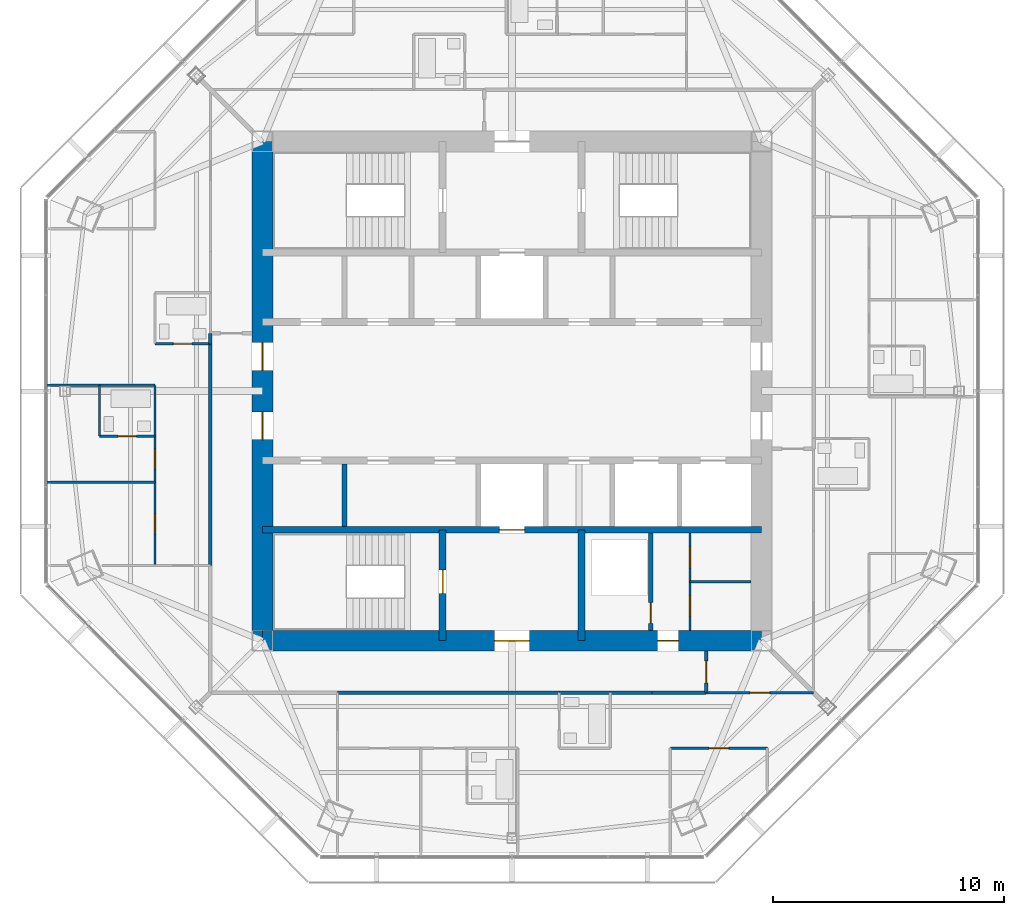
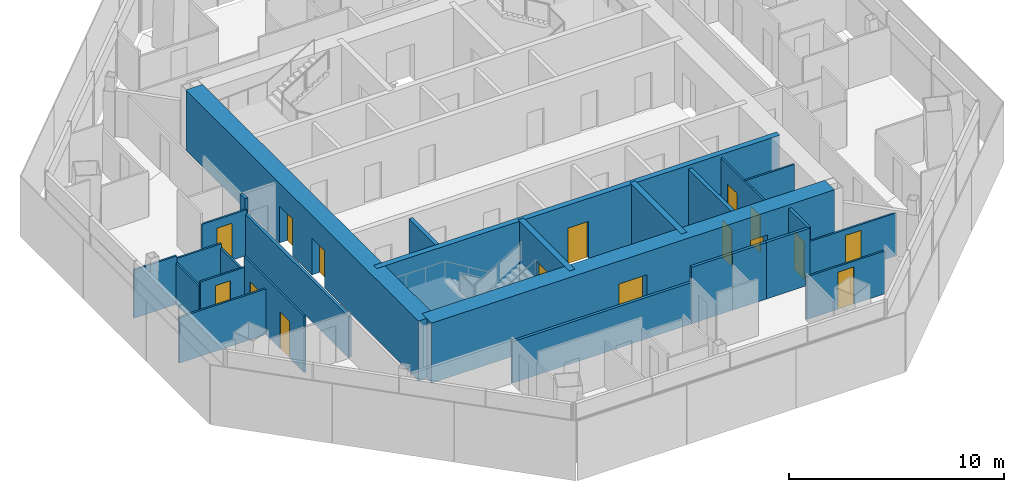
# One storey, part 10 of 15: 26 walls, 16 doors, 16 openings.
"""IFC4 building model written with IfcOpenShell, lengths in metres."""

from ifc_helpers import new_model, si_unit, direction, frame, frame_2d, origin, place, context, subcontext, project, spatial, rectangle, extrude, material, layer, layer_set, type_object, element, fill, save


model = new_model("IFC4")

# Units and contexts
model_context = context("Model", 3, precision=1e-05, world=origin(), true_north=direction((0.0, 1.0)))
body_context = subcontext(model_context, "Body", "Model", "MODEL_VIEW")
ifc_project = project(units=[si_unit("LENGTHUNIT", "METRE"), si_unit("AREAUNIT", "SQUARE_METRE"), si_unit("VOLUMEUNIT", "CUBIC_METRE"), si_unit("PLANEANGLEUNIT", "RADIAN"), si_unit("MASSUNIT", "GRAM", prefix="KILO")], contexts=[model_context])

# Site, building, storey
site_placement = place(None, origin())
site = spatial("IfcSite", under=ifc_project, at=site_placement, CompositionType="ELEMENT")
building_placement = place(site_placement, origin())
building = spatial("IfcBuilding", under=site, at=building_placement, Name="Mashrafa Tower", CompositionType="ELEMENT")
storey_placement = place(building_placement, frame((0.0, 0.0, 277.60009765625)))
storey = spatial("IfcBuildingStorey", under=building, at=storey_placement, Name="L67", CompositionType="ELEMENT", Elevation=277.60009765625)

# Wall, opening, door
ifc_material_1 = material(Name="Concrete masonry unit", Category="masonry")
ifc_layer_1 = layer(ifc_material_1, 0.199951171875)
ifc_layer_set_1 = layer_set([ifc_layer_1], Name="Blockwork wall 200 2 hr")
wall_type_1 = type_object("IfcWallType", Name="Blockwork wall 200 2 hr", PredefinedType="PARTITIONING", material=ifc_layer_set_1)
wall_1_placement = place(storey_placement, frame((6.0, -10.35009765625, 0.0), z_axis=(0.0, 0.0, 1.0), x_axis=(0.0, 1.0, 0.0)))
wall_1 = element("IfcWall", 1, at=wall_1_placement, inside=storey, type_object=wall_type_1, Name="Riser enclosure wall L67", PredefinedType="PARTITIONING", context=body_context, shape_type="SweptSolid", body=[
    extrude(rectangle(XDim=4.2001953125, YDim=0.199951171875, at=frame_2d((2.10009765625, 0.0))), origin(), (0.0, 0.0, 1.0), 3.199951171875),
])
opening_1_placement = place(wall_1_placement, frame((0.300048828125, 0.0, 0.0)))
opening_1 = element("IfcOpeningElement", 2, at=opening_1_placement, cuts=wall_1, Name="Opening 67.043", PredefinedType="OPENING", context=body_context, shape_type="SweptSolid", body=[
    extrude(rectangle(XDim=0.89990234375, YDim=2.10009765625, at=frame_2d((0.449951171875, 1.050048828125))), frame((0.0, 0.10986328125, 0.0), z_axis=(0.0, -1.0, 0.0), x_axis=(1.0, 0.0, 0.0)), (0.0, 0.0, 1.0), 0.219970703125),
])
ifc_material_2 = material(Name="Steel door", Category="steel")
door_type_1 = type_object("IfcDoorType", Name="Service door 900 x 2100 90 min", OperationType="USERDEFINED", PredefinedType="DOOR", material=ifc_material_2)
door_1_placement = place(opening_1_placement, origin())
door_1 = element("IfcDoor", 3, at=door_1_placement, inside=storey, type_object=door_type_1, Name="Riser door L67", OperationType="SINGLE_SWING_LEFT", OverallHeight=2.10009765625, OverallWidth=0.89990234375, PredefinedType="DOOR", context=body_context, shape_type="SweptSolid", body=[
    extrude(rectangle(XDim=0.89990234375, YDim=2.10009765625, at=frame_2d((0.449951171875, 1.050048828125))), frame((0.0, 0.02490234375, 0.0), z_axis=(0.0, -1.0, 0.0), x_axis=(1.0, 0.0, 0.0)), (0.0, 0.0, 1.0), 0.050048828125),
])
fill(opening_1, door_1)

ifc_material_3 = material(Name="Concrete C50/60", Category="concrete")
ifc_layer_2 = layer(ifc_material_3, 0.300048828125)
ifc_layer_set_2 = layer_set([ifc_layer_2], Name="Core wall 300 C50/60")
wall_type_2 = type_object("IfcWallType", Name="Core wall 300 C50/60", PredefinedType="SOLIDWALL", material=ifc_layer_set_2)
wall_2_placement = place(storey_placement, frame((-10.800048828125, -6.0, 0.0), z_axis=(0.0, 0.0, 1.0), x_axis=(1.0, 0.0, 0.0)))
wall_2 = element("IfcWall", 4, at=wall_2_placement, inside=storey, type_object=wall_type_2, Name="Core wall CB-S L67", PredefinedType="SOLIDWALL", context=body_context, shape_type="SweptSolid", body=[
    extrude(rectangle(XDim=21.60009765625, YDim=0.300048828125, at=frame_2d((10.800048828125, 0.0))), origin(), (0.0, 0.0, 1.0), 3.39990234375),
])
opening_2_placement = place(wall_2_placement, frame((10.25, 0.0, 0.0)))
opening_2 = element("IfcOpeningElement", 5, at=opening_2_placement, cuts=wall_2, Name="Opening 67.F2", PredefinedType="OPENING", context=body_context, shape_type="SweptSolid", body=[
    extrude(rectangle(XDim=1.10009765625, YDim=2.10009765625, at=frame_2d((0.550048828125, 1.050048828125))), frame((0.0, 0.159912109375, 0.0), z_axis=(0.0, -1.0, 0.0), x_axis=(1.0, 0.0, 0.0)), (0.0, 0.0, 1.0), 0.320068359375),
])
ifc_material_4 = material(Name="Steel door", Category="steel")
door_type_2 = type_object("IfcDoorType", Name="Lift landing door 1100 x 2100 90 min", OperationType="DOUBLE_DOOR_SLIDING", PredefinedType="DOOR", material=ifc_material_4)
door_2_placement = place(opening_2_placement, origin())
door_2 = element("IfcDoor", 6, at=door_2_placement, inside=storey, type_object=door_type_2, Name="Lift landing door F2 L67", OperationType="DOUBLE_DOOR_SLIDING", OverallHeight=2.10009765625, OverallWidth=1.10009765625, PredefinedType="DOOR", context=body_context, shape_type="SweptSolid", body=[
    extrude(rectangle(XDim=1.10009765625, YDim=2.10009765625, at=frame_2d((0.550048828125, 1.050048828125))), frame((0.0, 0.02490234375, 0.0), z_axis=(0.0, -1.0, 0.0), x_axis=(1.0, 0.0, 0.0)), (0.0, 0.0, 1.0), 0.050048828125),
])
fill(opening_2, door_2)

wall_3_placement = place(storey_placement, frame((-3.0, -6.0, 0.0), z_axis=(0.0, 0.0, 1.0), x_axis=(0.0, -1.0, 0.0)))
wall_3 = element("IfcWall", 7, at=wall_3_placement, inside=storey, type_object=wall_type_2, Name="Core wall CX-SW L67", PredefinedType="SOLIDWALL", context=body_context, shape_type="SweptSolid", body=[
    extrude(rectangle(XDim=4.800048828125, YDim=0.300048828125, at=frame_2d((2.39990234375, 0.0))), origin(), (0.0, 0.0, 1.0), 3.39990234375),
])
opening_3_placement = place(wall_3_placement, frame((1.75, 0.0, 0.0)))
opening_3 = element("IfcOpeningElement", 8, at=opening_3_placement, cuts=wall_3, Name="Opening 67.041", PredefinedType="OPENING", context=body_context, shape_type="SweptSolid", body=[
    extrude(rectangle(XDim=1.0, YDim=2.10009765625, at=frame_2d((0.5, 1.050048828125))), frame((0.0, 0.159912109375, 0.0), z_axis=(0.0, -1.0, 0.0), x_axis=(1.0, 0.0, 0.0)), (0.0, 0.0, 1.0), 0.320068359375),
])
ifc_material_5 = material(Name="Steel door", Category="steel")
door_type_3 = type_object("IfcDoorType", Name="Stair door 1000 x 2100 90 min", OperationType="USERDEFINED", PredefinedType="DOOR", material=ifc_material_5)
door_3_placement = place(opening_3_placement, frame((1.0, 0.0, 0.0), z_axis=(0.0, 0.0, 1.0), x_axis=(-1.0, 0.0, 0.0)))
door_3 = element("IfcDoor", 9, at=door_3_placement, inside=storey, type_object=door_type_3, Name="Stair S3 door L67", OperationType="SINGLE_SWING_RIGHT", OverallHeight=2.10009765625, OverallWidth=1.0, PredefinedType="DOOR", context=body_context, shape_type="SweptSolid", body=[
    extrude(rectangle(XDim=1.0, YDim=2.10009765625, at=frame_2d((0.5, 1.050048828125))), frame((0.0, 0.02490234375, 0.0), z_axis=(0.0, -1.0, 0.0), x_axis=(1.0, 0.0, 0.0)), (0.0, 0.0, 1.0), 0.050048828125),
])
fill(opening_3, door_3)

# Wall
wall_4_placement = place(storey_placement, frame((3.0, -6.0, 0.0), z_axis=(0.0, 0.0, 1.0), x_axis=(0.0, -1.0, 0.0)))
element("IfcWall", 10, at=wall_4_placement, inside=storey, type_object=wall_type_2, Name="Core wall CX-SE L67", PredefinedType="SOLIDWALL", context=body_context, shape_type="SweptSolid", body=[
    extrude(rectangle(XDim=4.800048828125, YDim=0.300048828125, at=frame_2d((2.39990234375, 0.0))), origin(), (0.0, 0.0, 1.0), 3.39990234375),
])

# Wall, openings, doors
ifc_material_6 = material(Name="Concrete C50/60", Category="concrete")
ifc_layer_3 = layer(ifc_material_6, 0.89990234375)
ifc_layer_set_3 = layer_set([ifc_layer_3], Name="Core wall 900 C50/60")
wall_type_3 = type_object("IfcWallType", Name="Core wall 900 C50/60", PredefinedType="SOLIDWALL", material=ifc_layer_set_3)
wall_5_placement = place(storey_placement, frame((-10.800048828125, -10.800048828125, 0.0), z_axis=(0.0, 0.0, 1.0), x_axis=(1.0, 0.0, 0.0)))
wall_5 = element("IfcWall", 11, at=wall_5_placement, inside=storey, type_object=wall_type_3, Name="Core wall CW-S L67", PredefinedType="SOLIDWALL", context=body_context, shape_type="SweptSolid", body=[
    extrude(rectangle(XDim=21.60009765625, YDim=0.89990234375, at=frame_2d((10.800048828125, 0.0))), origin(), (0.0, 0.0, 1.0), 3.39990234375),
])
opening_4_placement = place(wall_5_placement, frame((10.050048828125, 0.0, 0.0)))
opening_4 = element("IfcOpeningElement", 12, at=opening_4_placement, cuts=wall_5, Name="Opening 67.038", PredefinedType="OPENING", context=body_context, shape_type="SweptSolid", body=[
    extrude(rectangle(XDim=1.5, YDim=2.10009765625, at=frame_2d((0.75, 1.050048828125))), frame((0.0, 0.4599609375, 0.0), z_axis=(0.0, -1.0, 0.0), x_axis=(1.0, 0.0, 0.0)), (0.0, 0.0, 1.0), 0.919921875),
])
opening_5_placement = place(wall_5_placement, frame((17.10009765625, 0.0, 0.0)))
opening_5 = element("IfcOpeningElement", 13, at=opening_5_placement, cuts=wall_5, Name="Opening 67.042", PredefinedType="OPENING", context=body_context, shape_type="SweptSolid", body=[
    extrude(rectangle(XDim=0.89990234375, YDim=2.10009765625, at=frame_2d((0.449951171875, 1.050048828125))), frame((0.0, 0.4599609375, 0.0), z_axis=(0.0, -1.0, 0.0), x_axis=(1.0, 0.0, 0.0)), (0.0, 0.0, 1.0), 0.919921875),
])
ifc_material_7 = material(Name="Steel door", Category="steel")
door_type_4 = type_object("IfcDoorType", Name="Lobby door pair 1500 x 2100 90 min", OperationType="DOUBLE_DOOR_SINGLE_SWING", PredefinedType="DOOR", material=ifc_material_7)
door_4_placement = place(opening_4_placement, origin())
door_4 = element("IfcDoor", 14, at=door_4_placement, inside=storey, type_object=door_type_4, Name="Fire-fighting lobby F2 door L67", OperationType="DOUBLE_DOOR_SINGLE_SWING", OverallHeight=2.10009765625, OverallWidth=1.5, PredefinedType="DOOR", context=body_context, shape_type="SweptSolid", body=[
    extrude(rectangle(XDim=1.5, YDim=2.10009765625, at=frame_2d((0.75, 1.050048828125))), frame((0.0, 0.02490234375, 0.0), z_axis=(0.0, -1.0, 0.0), x_axis=(1.0, 0.0, 0.0)), (0.0, 0.0, 1.0), 0.050048828125),
])
fill(opening_4, door_4)
door_5_placement = place(opening_5_placement, frame((0.89990234375, 0.0, 0.0), z_axis=(0.0, 0.0, 1.0), x_axis=(-1.0, 0.0, 0.0)))
door_5 = element("IfcDoor", 15, at=door_5_placement, inside=storey, type_object=door_type_1, Name="Services Lobby L67 door", OperationType="SINGLE_SWING_LEFT", OverallHeight=2.10009765625, OverallWidth=0.89990234375, PredefinedType="DOOR", context=body_context, shape_type="SweptSolid", body=[
    extrude(rectangle(XDim=0.89990234375, YDim=2.10009765625, at=frame_2d((0.449951171875, 1.050048828125))), frame((0.0, 0.02490234375, 0.0), z_axis=(0.0, -1.0, 0.0), x_axis=(1.0, 0.0, 0.0)), (0.0, 0.0, 1.0), 0.050048828125),
])
fill(opening_5, door_5)

wall_6_placement = place(storey_placement, frame((-10.800048828125, 10.800048828125, 0.0), z_axis=(0.0, 0.0, 1.0), x_axis=(0.0, -1.0, 0.0)))
wall_6 = element("IfcWall", 16, at=wall_6_placement, inside=storey, type_object=wall_type_3, Name="Core wall CW-W L67", PredefinedType="SOLIDWALL", context=body_context, shape_type="SweptSolid", body=[
    extrude(rectangle(XDim=21.60009765625, YDim=0.89990234375, at=frame_2d((10.800048828125, 0.0))), origin(), (0.0, 0.0, 1.0), 3.39990234375),
])
opening_6_placement = place(wall_6_placement, frame((8.699951171875, 0.0, 0.0)))
opening_6 = element("IfcOpeningElement", 17, at=opening_6_placement, cuts=wall_6, Name="Opening 67.034", PredefinedType="OPENING", context=body_context, shape_type="SweptSolid", body=[
    extrude(rectangle(XDim=1.199951171875, YDim=2.10009765625, at=frame_2d((0.60009765625, 1.050048828125))), frame((0.0, 0.4599609375, 0.0), z_axis=(0.0, -1.0, 0.0), x_axis=(1.0, 0.0, 0.0)), (0.0, 0.0, 1.0), 0.919921875),
])
opening_7_placement = place(wall_6_placement, frame((11.699951171875, 0.0, 0.0)))
opening_7 = element("IfcOpeningElement", 18, at=opening_7_placement, cuts=wall_6, Name="Opening 67.036", PredefinedType="OPENING", context=body_context, shape_type="SweptSolid", body=[
    extrude(rectangle(XDim=1.199951171875, YDim=2.10009765625, at=frame_2d((0.60009765625, 1.050048828125))), frame((0.0, 0.4599609375, 0.0), z_axis=(0.0, -1.0, 0.0), x_axis=(1.0, 0.0, 0.0)), (0.0, 0.0, 1.0), 0.919921875),
])
ifc_material_8 = material(Name="Steel door", Category="steel")
door_type_5 = type_object("IfcDoorType", Name="Lift hall door 1200 x 2100 90 min", OperationType="USERDEFINED", PredefinedType="DOOR", material=ifc_material_8)
door_6_placement = place(opening_6_placement, origin())
door_6 = element("IfcDoor", 19, at=door_6_placement, inside=storey, type_object=door_type_5, Name="Lift hall door west L67", OperationType="SINGLE_SWING_LEFT", OverallHeight=2.10009765625, OverallWidth=1.199951171875, PredefinedType="DOOR", context=body_context, shape_type="SweptSolid", body=[
    extrude(rectangle(XDim=1.199951171875, YDim=2.10009765625, at=frame_2d((0.60009765625, 1.050048828125))), frame((0.0, 0.02490234375, 0.0), z_axis=(0.0, -1.0, 0.0), x_axis=(1.0, 0.0, 0.0)), (0.0, 0.0, 1.0), 0.050048828125),
])
fill(opening_6, door_6)
door_7_placement = place(opening_7_placement, frame((1.199951171875, 0.0, 0.0), z_axis=(0.0, 0.0, 1.0), x_axis=(-1.0, 0.0, 0.0)))
door_7 = element("IfcDoor", 20, at=door_7_placement, inside=storey, type_object=door_type_5, Name="Lift hall door west L67", OperationType="SINGLE_SWING_RIGHT", OverallHeight=2.10009765625, OverallWidth=1.199951171875, PredefinedType="DOOR", context=body_context, shape_type="SweptSolid", body=[
    extrude(rectangle(XDim=1.199951171875, YDim=2.10009765625, at=frame_2d((0.60009765625, 1.050048828125))), frame((0.0, 0.02490234375, 0.0), z_axis=(0.0, -1.0, 0.0), x_axis=(1.0, 0.0, 0.0)), (0.0, 0.0, 1.0), 0.050048828125),
])
fill(opening_7, door_7)

# Walls
ifc_material_9 = material(Name="Gypsum board on steel studs", Category="steel")
ifc_layer_4 = layer(ifc_material_9, 0.14990234375)
ifc_layer_set_4 = layer_set([ifc_layer_4], Name="Corridor partition 150 1 hr")
wall_type_4 = type_object("IfcWallType", Name="Corridor partition 150 1 hr", PredefinedType="PARTITIONING", material=ifc_layer_set_4)
wall_7_placement = place(storey_placement, frame((-13.050048828125, 2.5, 0.0), z_axis=(0.0, 0.0, 1.0), x_axis=(0.0, -1.0, 0.0)))
element("IfcWall", 21, at=wall_7_placement, inside=storey, type_object=wall_type_4, Name="Corridor wall L67-008", PredefinedType="PARTITIONING", context=body_context, shape_type="SweptSolid", body=[
    extrude(rectangle(XDim=0.450927734375, YDim=0.14990234375, at=frame_2d((0.2255859375, 0.0))), origin(), (0.0, 0.0, 1.0), 3.199951171875),
])
wall_8_placement = place(storey_placement, frame((-13.050048828125, 2.051025390625, 0.0), z_axis=(0.0, 0.0, 1.0), x_axis=(0.0, -1.0, 0.0)))
element("IfcWall", 22, at=wall_8_placement, inside=storey, type_object=wall_type_4, Name="Corridor wall L67-010", PredefinedType="PARTITIONING", context=body_context, shape_type="SweptSolid", body=[
    extrude(rectangle(XDim=9.60205078125, YDim=0.14990234375, at=frame_2d((4.801025390625, 0.0))), origin(), (0.0, 0.0, 1.0), 2.343994140625),
])
wall_9_placement = place(storey_placement, frame((4.2490234375, -13.050048828125, 0.0), z_axis=(0.0, 0.0, 1.0), x_axis=(1.0, 0.0, 0.0)))
element("IfcWall", 23, at=wall_9_placement, inside=storey, type_object=wall_type_4, Name="Corridor wall L67-011", PredefinedType="PARTITIONING", context=body_context, shape_type="SweptSolid", body=[
    extrude(rectangle(XDim=1.802001953125, YDim=0.14990234375, at=frame_2d((0.90087890625, 0.0))), origin(), (0.0, 0.0, 1.0), 3.199951171875),
])
wall_10_placement = place(storey_placement, frame((2.049072265625, -13.050048828125, 0.0), z_axis=(0.0, 0.0, 1.0), x_axis=(1.0, 0.0, 0.0)))
element("IfcWall", 24, at=wall_10_placement, inside=storey, type_object=wall_type_4, Name="Corridor wall L67-012", PredefinedType="PARTITIONING", context=body_context, shape_type="SweptSolid", body=[
    extrude(rectangle(XDim=2.201904296875, YDim=0.14990234375, at=frame_2d((1.10107421875, 0.0))), origin(), (0.0, 0.0, 1.0), 3.199951171875),
])
wall_11_placement = place(storey_placement, frame((-7.551025390625, -13.050048828125, 0.0), z_axis=(0.0, 0.0, 1.0), x_axis=(1.0, 0.0, 0.0)))
element("IfcWall", 25, at=wall_11_placement, inside=storey, type_object=wall_type_4, Name="Corridor wall L67-014", PredefinedType="PARTITIONING", context=body_context, shape_type="SweptSolid", body=[
    extrude(rectangle(XDim=9.60205078125, YDim=0.14990234375, at=frame_2d((4.801025390625, 0.0))), origin(), (0.0, 0.0, 1.0), 2.343994140625),
])
wall_12_placement = place(storey_placement, frame((6.049072265625, -13.050048828125, 0.0), z_axis=(0.0, 0.0, 1.0), x_axis=(1.0, 0.0, 0.0)))
element("IfcWall", 26, at=wall_12_placement, inside=storey, type_object=wall_type_4, Name="Corridor wall L67-015", PredefinedType="PARTITIONING", context=body_context, shape_type="SweptSolid", body=[
    extrude(rectangle(XDim=2.350830078125, YDim=0.14990234375, at=frame_2d((1.17529296875, 0.0))), origin(), (0.0, 0.0, 1.0), 3.199951171875),
])

# Wall, opening, door
wall_13_placement = place(storey_placement, frame((8.39990234375, -13.050048828125, 0.0), z_axis=(0.0, 0.0, 1.0), x_axis=(0.0, 1.0, 0.0)))
wall_13 = element("IfcWall", 27, at=wall_13_placement, inside=storey, type_object=wall_type_4, Name="Corridor wall L67-016", PredefinedType="PARTITIONING", context=body_context, shape_type="SweptSolid", body=[
    extrude(rectangle(XDim=1.800048828125, YDim=0.14990234375, at=frame_2d((0.89990234375, 0.0))), origin(), (0.0, 0.0, 1.0), 3.199951171875),
])
opening_8_placement = place(wall_13_placement, frame((0.425048828125, 0.0, 0.0)))
opening_8 = element("IfcOpeningElement", 28, at=opening_8_placement, cuts=wall_13, Name="Opening 67.030", PredefinedType="OPENING", context=body_context, shape_type="SweptSolid", body=[
    extrude(rectangle(XDim=0.949951171875, YDim=2.10009765625, at=frame_2d((0.47509765625, 1.050048828125))), frame((0.0, 0.0849609375, 0.0), z_axis=(0.0, -1.0, 0.0), x_axis=(1.0, 0.0, 0.0)), (0.0, 0.0, 1.0), 0.169921875),
])
ifc_material_10 = material(Name="Steel door", Category="steel")
door_type_6 = type_object("IfcDoorType", Name="Residence entrance door 950 x 2100 20 min", OperationType="USERDEFINED", PredefinedType="DOOR", material=ifc_material_10)
door_8_placement = place(opening_8_placement, origin())
door_8 = element("IfcDoor", 29, at=door_8_placement, inside=storey, type_object=door_type_6, Name="Apartment 6704 Entrance Hall door", OperationType="SINGLE_SWING_LEFT", OverallHeight=2.10009765625, OverallWidth=0.949951171875, PredefinedType="DOOR", context=body_context, shape_type="SweptSolid", body=[
    extrude(rectangle(XDim=0.949951171875, YDim=2.10009765625, at=frame_2d((0.47509765625, 1.050048828125))), frame((0.0, 0.02490234375, 0.0), z_axis=(0.0, -1.0, 0.0), x_axis=(1.0, 0.0, 0.0)), (0.0, 0.0, 1.0), 0.050048828125),
])
fill(opening_8, door_8)

ifc_material_11 = material(Name="Gypsum board on steel studs", Category="steel")
ifc_layer_5 = layer(ifc_material_11, 0.10009765625)
ifc_layer_set_5 = layer_set([ifc_layer_5], Name="Partition 100")
wall_type_5 = type_object("IfcWallType", Name="Partition 100", PredefinedType="PARTITIONING", material=ifc_layer_set_5)
wall_14_placement = place(storey_placement, frame((11.050048828125, -15.449951171875, 0.0), z_axis=(0.0, 0.0, 1.0), x_axis=(-1.0, 0.0, 0.0)))
wall_14 = element("IfcWall", 30, at=wall_14_placement, inside=storey, type_object=wall_type_5, Name="Partition wall L67-031", PredefinedType="PARTITIONING", context=body_context, shape_type="SweptSolid", body=[
    extrude(rectangle(XDim=4.199951171875, YDim=0.10009765625, at=frame_2d((2.10009765625, 0.0))), origin(), (0.0, 0.0, 1.0), 2.427978515625),
])
opening_9_placement = place(wall_14_placement, frame((1.675048828125, 0.0, 0.0)))
opening_9 = element("IfcOpeningElement", 31, at=opening_9_placement, cuts=wall_14, Name="Opening 67.004", PredefinedType="OPENING", context=body_context, shape_type="SweptSolid", body=[
    extrude(rectangle(XDim=0.85009765625, YDim=2.10009765625, at=frame_2d((0.425048828125, 1.050048828125))), frame((0.0, 0.06005859375, 0.0), z_axis=(0.0, -1.0, 0.0), x_axis=(1.0, 0.0, 0.0)), (0.0, 0.0, 1.0), 0.1201171875),
])
ifc_material_12 = material(Name="Timber door", Category="wood")
door_type_7 = type_object("IfcDoorType", Name="Bedroom door 850 x 2100", OperationType="USERDEFINED", PredefinedType="DOOR", material=ifc_material_12)
door_9_placement = place(opening_9_placement, origin())
door_9 = element("IfcDoor", 32, at=door_9_placement, inside=storey, type_object=door_type_7, Name="Apartment 6704 Dining Room door", OperationType="SINGLE_SWING_LEFT", OverallHeight=2.10009765625, OverallWidth=0.85009765625, PredefinedType="DOOR", context=body_context, shape_type="SweptSolid", body=[
    extrude(rectangle(XDim=0.85009765625, YDim=2.10009765625, at=frame_2d((0.425048828125, 1.050048828125))), frame((0.0, 0.02490234375, 0.0), z_axis=(0.0, -1.0, 0.0), x_axis=(1.0, 0.0, 0.0)), (0.0, 0.0, 1.0), 0.050048828125),
])
fill(opening_9, door_9)

wall_15_placement = place(storey_placement, frame((-15.449951171875, 2.050048828125, 0.0), z_axis=(0.0, 0.0, 1.0), x_axis=(1.0, 0.0, 0.0)))
wall_15 = element("IfcWall", 33, at=wall_15_placement, inside=storey, type_object=wall_type_5, Name="Partition wall L67-075", PredefinedType="PARTITIONING", context=body_context, shape_type="SweptSolid", body=[
    extrude(rectangle(XDim=2.39990234375, YDim=0.10009765625, at=frame_2d((1.199951171875, 0.0))), origin(), (0.0, 0.0, 1.0), 2.590576171875),
])
opening_10_placement = place(wall_15_placement, frame((0.800048828125, 0.0, 0.0)))
opening_10 = element("IfcOpeningElement", 34, at=opening_10_placement, cuts=wall_15, Name="Opening 67.017", PredefinedType="OPENING", context=body_context, shape_type="SweptSolid", body=[
    extrude(rectangle(XDim=0.800048828125, YDim=2.10009765625, at=frame_2d((0.39990234375, 1.050048828125))), frame((0.0, 0.06005859375, 0.0), z_axis=(0.0, -1.0, 0.0), x_axis=(1.0, 0.0, 0.0)), (0.0, 0.0, 1.0), 0.1201171875),
])
ifc_material_13 = material(Name="Timber door", Category="wood")
door_type_8 = type_object("IfcDoorType", Name="Bathroom door 800 x 2100", OperationType="USERDEFINED", PredefinedType="DOOR", material=ifc_material_13)
door_10_placement = place(opening_10_placement, origin())
door_10 = element("IfcDoor", 35, at=door_10_placement, inside=storey, type_object=door_type_8, Name="Apartment 6703 Bathroom door", OperationType="SINGLE_SWING_RIGHT", OverallHeight=2.10009765625, OverallWidth=0.800048828125, PredefinedType="DOOR", context=body_context, shape_type="SweptSolid", body=[
    extrude(rectangle(XDim=0.800048828125, YDim=2.10009765625, at=frame_2d((0.39990234375, 1.050048828125))), frame((0.0, 0.02490234375, 0.0), z_axis=(0.0, -1.0, 0.0), x_axis=(1.0, 0.0, 0.0)), (0.0, 0.0, 1.0), 0.050048828125),
])
fill(opening_10, door_10)

# Wall
wall_16_placement = place(storey_placement, frame((-17.85009765625, 0.25, 0.0), z_axis=(0.0, 0.0, 1.0), x_axis=(0.0, -1.0, 0.0)))
element("IfcWall", 36, at=wall_16_placement, inside=storey, type_object=wall_type_5, Name="Partition wall L67-077", PredefinedType="PARTITIONING", context=body_context, shape_type="SweptSolid", body=[
    extrude(rectangle(XDim=2.199951171875, YDim=0.10009765625, at=frame_2d((1.10009765625, 0.0))), origin(), (0.0, 0.0, 1.0), 2.343994140625),
])

# Wall, opening, door
wall_17_placement = place(storey_placement, frame((-17.85009765625, -1.949951171875, 0.0), z_axis=(0.0, 0.0, 1.0), x_axis=(1.0, 0.0, 0.0)))
wall_17 = element("IfcWall", 37, at=wall_17_placement, inside=storey, type_object=wall_type_5, Name="Partition wall L67-078", PredefinedType="PARTITIONING", context=body_context, shape_type="SweptSolid", body=[
    extrude(rectangle(XDim=2.400146484375, YDim=0.10009765625, at=frame_2d((1.2001953125, 0.0))), origin(), (0.0, 0.0, 1.0), 2.590576171875),
])
opening_11_placement = place(wall_17_placement, frame((0.800048828125, 0.0, 0.0)))
opening_11 = element("IfcOpeningElement", 38, at=opening_11_placement, cuts=wall_17, Name="Opening 67.018", PredefinedType="OPENING", context=body_context, shape_type="SweptSolid", body=[
    extrude(rectangle(XDim=0.800048828125, YDim=2.10009765625, at=frame_2d((0.39990234375, 1.050048828125))), frame((0.0, 0.06005859375, 0.0), z_axis=(0.0, -1.0, 0.0), x_axis=(1.0, 0.0, 0.0)), (0.0, 0.0, 1.0), 0.1201171875),
])
door_11_placement = place(opening_11_placement, origin())
door_11 = element("IfcDoor", 39, at=door_11_placement, inside=storey, type_object=door_type_8, Name="Apartment 6703 En-suite Bathroom door", OperationType="SINGLE_SWING_LEFT", OverallHeight=2.10009765625, OverallWidth=0.800048828125, PredefinedType="DOOR", context=body_context, shape_type="SweptSolid", body=[
    extrude(rectangle(XDim=0.800048828125, YDim=2.10009765625, at=frame_2d((0.39990234375, 1.050048828125))), frame((0.0, 0.02490234375, 0.0), z_axis=(0.0, -1.0, 0.0), x_axis=(1.0, 0.0, 0.0)), (0.0, 0.0, 1.0), 0.050048828125),
])
fill(opening_11, door_11)

# Walls
wall_18_placement = place(storey_placement, frame((-15.449951171875, -1.949951171875, 0.0), z_axis=(0.0, 0.0, 1.0), x_axis=(0.0, 1.0, 0.0)))
element("IfcWall", 40, at=wall_18_placement, inside=storey, type_object=wall_type_5, Name="Partition wall L67-079", PredefinedType="PARTITIONING", context=body_context, shape_type="SweptSolid", body=[
    extrude(rectangle(XDim=2.199951171875, YDim=0.10009765625, at=frame_2d((1.10009765625, 0.0))), origin(), (0.0, 0.0, 1.0), 2.343994140625),
])
wall_19_placement = place(storey_placement, frame((-15.449951171875, 0.25, 0.0), z_axis=(0.0, 0.0, 1.0), x_axis=(-1.0, 0.0, 0.0)))
element("IfcWall", 41, at=wall_19_placement, inside=storey, type_object=wall_type_5, Name="Partition wall L67-080", PredefinedType="PARTITIONING", context=body_context, shape_type="SweptSolid", body=[
    extrude(rectangle(XDim=2.400146484375, YDim=0.10009765625, at=frame_2d((1.2001953125, 0.0))), origin(), (0.0, 0.0, 1.0), 2.590576171875),
])
wall_20_placement = place(storey_placement, frame((-20.143798828125, -3.949951171875, 0.0), z_axis=(0.0, 0.0, 1.0), x_axis=(1.0, 0.0, 0.0)))
element("IfcWall", 42, at=wall_20_placement, inside=storey, type_object=wall_type_5, Name="Partition wall L67-081", PredefinedType="PARTITIONING", context=body_context, shape_type="SweptSolid", body=[
    extrude(rectangle(XDim=4.69384765625, YDim=0.10009765625, at=frame_2d((2.346923828125, 0.0))), origin(), (0.0, 0.0, 1.0), 2.590576171875),
])
wall_21_placement = place(storey_placement, frame((-17.85009765625, 0.25, 0.0), z_axis=(0.0, 0.0, 1.0), x_axis=(-1.0, 0.0, 0.0)))
element("IfcWall", 43, at=wall_21_placement, inside=storey, type_object=wall_type_5, Name="Partition wall L67-082", PredefinedType="PARTITIONING", context=body_context, shape_type="SweptSolid", body=[
    extrude(rectangle(XDim=2.293701171875, YDim=0.10009765625, at=frame_2d((1.14697265625, 0.0))), origin(), (0.0, 0.0, 1.0), 2.740234375),
])

# Wall, openings, doors
wall_22_placement = place(storey_placement, frame((-15.449951171875, -1.949951171875, 0.0), z_axis=(0.0, 0.0, 1.0), x_axis=(0.0, -1.0, 0.0)))
wall_22 = element("IfcWall", 44, at=wall_22_placement, inside=storey, type_object=wall_type_5, Name="Partition wall L67-083", PredefinedType="PARTITIONING", context=body_context, shape_type="SweptSolid", body=[
    extrude(rectangle(XDim=5.60009765625, YDim=0.10009765625, at=frame_2d((2.800048828125, 0.0))), origin(), (0.0, 0.0, 1.0), 3.199951171875),
])
opening_12_placement = place(wall_22_placement, frame((0.574951171875, 0.0, 0.0)))
opening_12 = element("IfcOpeningElement", 45, at=opening_12_placement, cuts=wall_22, Name="Opening 67.019", PredefinedType="OPENING", context=body_context, shape_type="SweptSolid", body=[
    extrude(rectangle(XDim=0.85009765625, YDim=2.10009765625, at=frame_2d((0.425048828125, 1.050048828125))), frame((0.0, 0.06005859375, 0.0), z_axis=(0.0, -1.0, 0.0), x_axis=(1.0, 0.0, 0.0)), (0.0, 0.0, 1.0), 0.1201171875),
])
opening_13_placement = place(wall_22_placement, frame((3.375, 0.0, 0.0)))
opening_13 = element("IfcOpeningElement", 46, at=opening_13_placement, cuts=wall_22, Name="Opening 67.020", PredefinedType="OPENING", context=body_context, shape_type="SweptSolid", body=[
    extrude(rectangle(XDim=0.85009765625, YDim=2.10009765625, at=frame_2d((0.425048828125, 1.050048828125))), frame((0.0, 0.06005859375, 0.0), z_axis=(0.0, -1.0, 0.0), x_axis=(1.0, 0.0, 0.0)), (0.0, 0.0, 1.0), 0.1201171875),
])
door_12_placement = place(opening_12_placement, frame((0.85009765625, 0.0, 0.0), z_axis=(0.0, 0.0, 1.0), x_axis=(-1.0, 0.0, 0.0)))
door_12 = element("IfcDoor", 47, at=door_12_placement, inside=storey, type_object=door_type_7, Name="Apartment 6703 Bedroom 1 door", OperationType="SINGLE_SWING_LEFT", OverallHeight=2.10009765625, OverallWidth=0.85009765625, PredefinedType="DOOR", context=body_context, shape_type="SweptSolid", body=[
    extrude(rectangle(XDim=0.85009765625, YDim=2.10009765625, at=frame_2d((0.425048828125, 1.050048828125))), frame((0.0, 0.02490234375, 0.0), z_axis=(0.0, -1.0, 0.0), x_axis=(1.0, 0.0, 0.0)), (0.0, 0.0, 1.0), 0.050048828125),
])
fill(opening_12, door_12)
door_13_placement = place(opening_13_placement, frame((0.85009765625, 0.0, 0.0), z_axis=(0.0, 0.0, 1.0), x_axis=(-1.0, 0.0, 0.0)))
door_13 = element("IfcDoor", 48, at=door_13_placement, inside=storey, type_object=door_type_7, Name="Apartment 6703 Bedroom 2 door", OperationType="SINGLE_SWING_RIGHT", OverallHeight=2.10009765625, OverallWidth=0.85009765625, PredefinedType="DOOR", context=body_context, shape_type="SweptSolid", body=[
    extrude(rectangle(XDim=0.85009765625, YDim=2.10009765625, at=frame_2d((0.425048828125, 1.050048828125))), frame((0.0, 0.02490234375, 0.0), z_axis=(0.0, -1.0, 0.0), x_axis=(1.0, 0.0, 0.0)), (0.0, 0.0, 1.0), 0.050048828125),
])
fill(opening_13, door_13)

# Wall, opening, door
wall_23_placement = place(storey_placement, frame((13.050048828125, -13.050048828125, 0.0), z_axis=(0.0, 0.0, 1.0), x_axis=(-1.0, 0.0, 0.0)))
wall_23 = element("IfcWall", 49, at=wall_23_placement, inside=storey, type_object=wall_type_5, Name="Partition wall L67-104", PredefinedType="PARTITIONING", context=body_context, shape_type="SweptSolid", body=[
    extrude(rectangle(XDim=4.651123046875, YDim=0.10009765625, at=frame_2d((2.32568359375, 0.0))), origin(), (0.0, 0.0, 1.0), 2.427978515625),
])
opening_14_placement = place(wall_23_placement, frame((1.900390625, 0.0, 0.0)))
opening_14 = element("IfcOpeningElement", 50, at=opening_14_placement, cuts=wall_23, Name="Opening 67.028", PredefinedType="OPENING", context=body_context, shape_type="SweptSolid", body=[
    extrude(rectangle(XDim=0.85009765625, YDim=2.10009765625, at=frame_2d((0.425048828125, 1.050048828125))), frame((0.0, 0.06005859375, 0.0), z_axis=(0.0, -1.0, 0.0), x_axis=(1.0, 0.0, 0.0)), (0.0, 0.0, 1.0), 0.1201171875),
])
door_14_placement = place(opening_14_placement, origin())
door_14 = element("IfcDoor", 51, at=door_14_placement, inside=storey, type_object=door_type_7, Name="Apartment 6704 Living Room door", OperationType="SINGLE_SWING_LEFT", OverallHeight=2.10009765625, OverallWidth=0.85009765625, PredefinedType="DOOR", context=body_context, shape_type="SweptSolid", body=[
    extrude(rectangle(XDim=0.85009765625, YDim=2.10009765625, at=frame_2d((0.425048828125, 1.050048828125))), frame((0.0, 0.02490234375, 0.0), z_axis=(0.0, -1.0, 0.0), x_axis=(1.0, 0.0, 0.0)), (0.0, 0.0, 1.0), 0.050048828125),
])
fill(opening_14, door_14)

# Wall, openings, doors
ifc_material_14 = material(Name="Gypsum board on steel studs", Category="steel")
ifc_layer_6 = layer(ifc_material_14, 0.10009765625)
ifc_layer_set_6 = layer_set([ifc_layer_6], Name="Partition 100 1 hr")
wall_type_6 = type_object("IfcWallType", Name="Partition 100 1 hr", PredefinedType="PARTITIONING", material=ifc_layer_set_6)
wall_24_placement = place(storey_placement, frame((7.699951171875, -10.35009765625, 0.0), z_axis=(0.0, 0.0, 1.0), x_axis=(0.0, 1.0, 0.0)))
wall_24 = element("IfcWall", 52, at=wall_24_placement, inside=storey, type_object=wall_type_6, Name="Services lobby partition A L67", PredefinedType="PARTITIONING", context=body_context, shape_type="SweptSolid", body=[
    extrude(rectangle(XDim=4.2001953125, YDim=0.10009765625, at=frame_2d((2.10009765625, 0.0))), origin(), (0.0, 0.0, 1.0), 3.199951171875),
])
opening_15_placement = place(wall_24_placement, frame((2.699951171875, 0.0, 0.0)))
opening_15 = element("IfcOpeningElement", 53, at=opening_15_placement, cuts=wall_24, Name="Opening 67.044", PredefinedType="OPENING", context=body_context, shape_type="SweptSolid", body=[
    extrude(rectangle(XDim=0.89990234375, YDim=2.10009765625, at=frame_2d((0.449951171875, 1.050048828125))), frame((0.0, 0.06005859375, 0.0), z_axis=(0.0, -1.0, 0.0), x_axis=(1.0, 0.0, 0.0)), (0.0, 0.0, 1.0), 0.1201171875),
])
opening_16_placement = place(wall_24_placement, frame((0.60009765625, 0.0, 0.0)))
opening_16 = element("IfcOpeningElement", 54, at=opening_16_placement, cuts=wall_24, Name="Opening 67.045", PredefinedType="OPENING", context=body_context, shape_type="SweptSolid", body=[
    extrude(rectangle(XDim=0.89990234375, YDim=2.10009765625, at=frame_2d((0.449951171875, 1.050048828125))), frame((0.0, 0.06005859375, 0.0), z_axis=(0.0, -1.0, 0.0), x_axis=(1.0, 0.0, 0.0)), (0.0, 0.0, 1.0), 0.1201171875),
])
ifc_material_15 = material(Name="Timber door", Category="wood")
door_type_9 = type_object("IfcDoorType", Name="Store door 900 x 2100", OperationType="USERDEFINED", PredefinedType="DOOR", material=ifc_material_15)
door_15_placement = place(opening_15_placement, frame((0.89990234375, 0.0, 0.0), z_axis=(0.0, 0.0, 1.0), x_axis=(-1.0, 0.0, 0.0)))
door_15 = element("IfcDoor", 55, at=door_15_placement, inside=storey, type_object=door_type_9, Name="Communications Room L67 door", OperationType="SINGLE_SWING_RIGHT", OverallHeight=2.10009765625, OverallWidth=0.89990234375, PredefinedType="DOOR", context=body_context, shape_type="SweptSolid", body=[
    extrude(rectangle(XDim=0.89990234375, YDim=2.10009765625, at=frame_2d((0.449951171875, 1.050048828125))), frame((0.0, 0.02490234375, 0.0), z_axis=(0.0, -1.0, 0.0), x_axis=(1.0, 0.0, 0.0)), (0.0, 0.0, 1.0), 0.050048828125),
])
fill(opening_15, door_15)
door_16_placement = place(opening_16_placement, frame((0.89990234375, 0.0, 0.0), z_axis=(0.0, 0.0, 1.0), x_axis=(-1.0, 0.0, 0.0)))
door_16 = element("IfcDoor", 56, at=door_16_placement, inside=storey, type_object=door_type_9, Name="Building Services Store L67 door", OperationType="SINGLE_SWING_LEFT", OverallHeight=2.10009765625, OverallWidth=0.89990234375, PredefinedType="DOOR", context=body_context, shape_type="SweptSolid", body=[
    extrude(rectangle(XDim=0.89990234375, YDim=2.10009765625, at=frame_2d((0.449951171875, 1.050048828125))), frame((0.0, 0.02490234375, 0.0), z_axis=(0.0, -1.0, 0.0), x_axis=(1.0, 0.0, 0.0)), (0.0, 0.0, 1.0), 0.050048828125),
])
fill(opening_16, door_16)

# Walls
wall_25_placement = place(storey_placement, frame((7.699951171875, -8.25, 0.0), z_axis=(0.0, 0.0, 1.0), x_axis=(1.0, 0.0, 0.0)))
element("IfcWall", 57, at=wall_25_placement, inside=storey, type_object=wall_type_6, Name="Services lobby partition B L67", PredefinedType="PARTITIONING", context=body_context, shape_type="SweptSolid", body=[
    extrude(rectangle(XDim=2.650146484375, YDim=0.10009765625, at=frame_2d((1.3251953125, 0.0))), origin(), (0.0, 0.0, 1.0), 3.199951171875),
])
ifc_material_16 = material(Name="Gypsum shaft wall on steel studs", Category="steel")
ifc_layer_7 = layer(ifc_material_16, 0.199951171875)
ifc_layer_set_7 = layer_set([ifc_layer_7], Name="Shaft divider wall 200 2 hr")
wall_type_7 = type_object("IfcWallType", Name="Shaft divider wall 200 2 hr", PredefinedType="PARTITIONING", material=ifc_layer_set_7)
wall_26_placement = place(storey_placement, frame((-7.25, -5.85009765625, 0.0), z_axis=(0.0, 0.0, 1.0), x_axis=(0.0, 1.0, 0.0)))
element("IfcWall", 58, at=wall_26_placement, inside=storey, type_object=wall_type_7, Name="Shaft divider wall S1 L67", PredefinedType="PARTITIONING", context=body_context, shape_type="SweptSolid", body=[
    extrude(rectangle(XDim=2.7001953125, YDim=0.199951171875, at=frame_2d((1.35009765625, 0.0))), origin(), (0.0, 0.0, 1.0), 3.199951171875),
])

save(model, "model.ifc")
